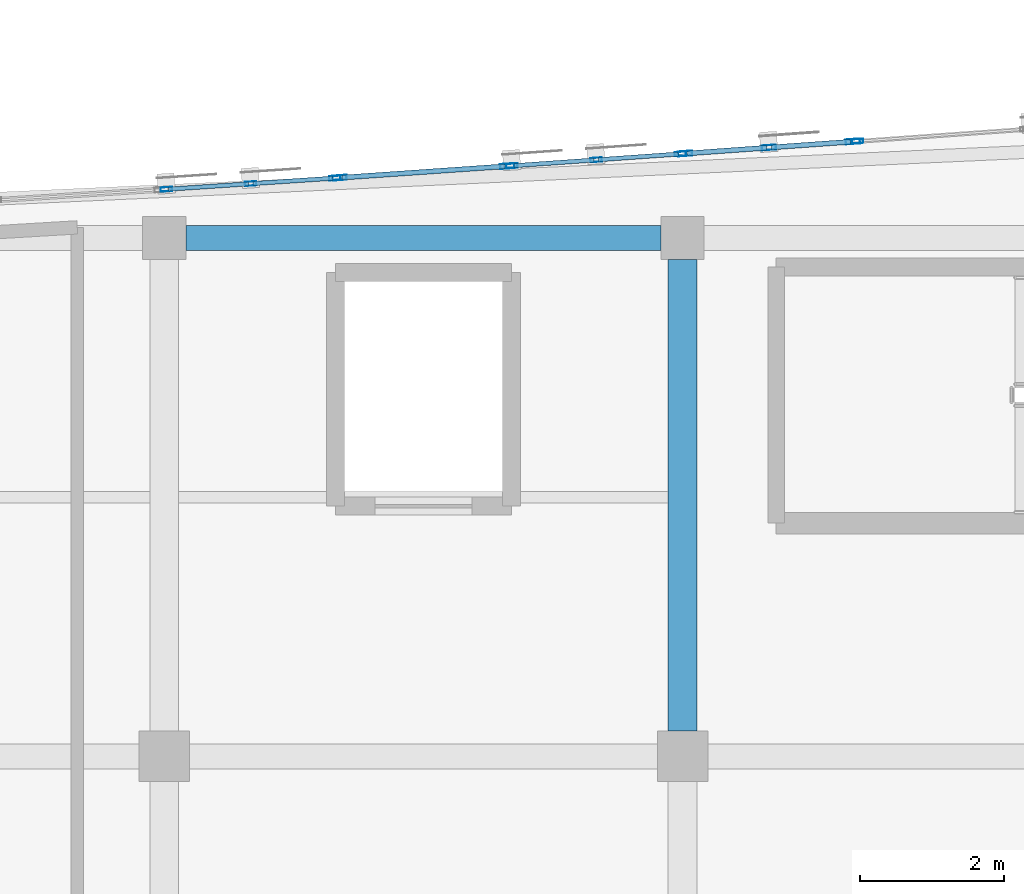
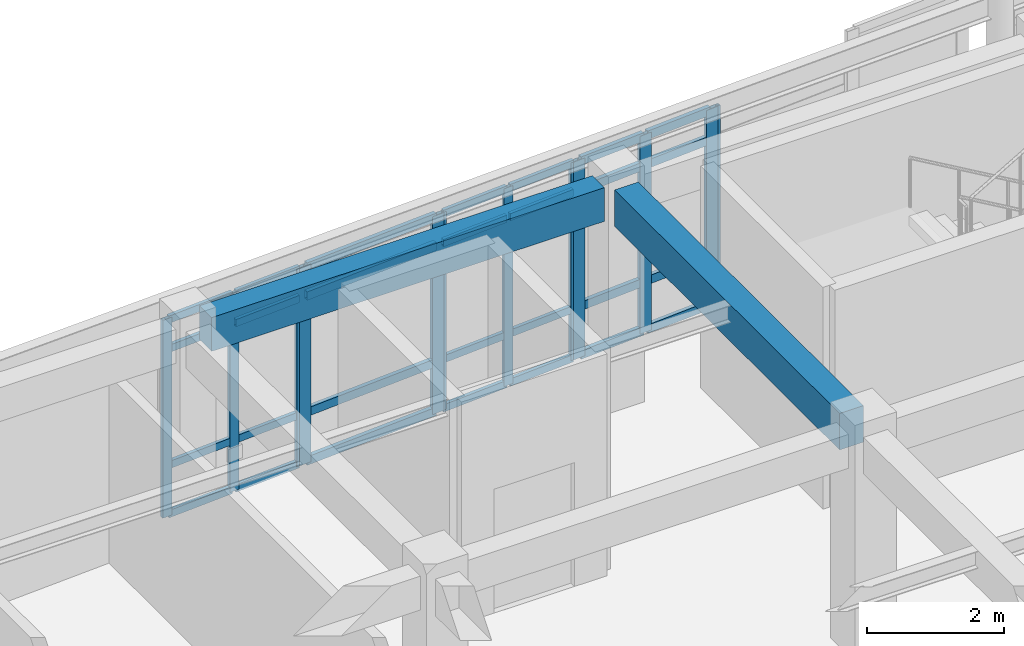
# One storey, part 38 of 113: 40 members, 2 beams, 5 elements without a shape of their own.
"""IFC4 building model written with IfcOpenShell, lengths in metres."""

from ifc_helpers import new_model, si_unit, direction, frame, origin, origin_2d, place, context, subcontext, project, spatial, rectangle, hollow_rectangle, extrude, material, layer, layer_set, material_profile, profile_set, type_object, element, aggregate, save


model = new_model("IFC4")

# Units and contexts
model_context = context("Model", 3, precision=1e-05, world=origin(), true_north=direction((0.0, 1.0)))
body_context = subcontext(model_context, "Body", "Model", "MODEL_VIEW")
ifc_project = project(units=[si_unit("LENGTHUNIT", "METRE"), si_unit("AREAUNIT", "SQUARE_METRE"), si_unit("VOLUMEUNIT", "CUBIC_METRE"), si_unit("PLANEANGLEUNIT", "RADIAN"), si_unit("MASSUNIT", "GRAM", prefix="KILO")], contexts=[model_context])

# Site, building, storey
site_placement = place(None, origin())
site = spatial("IfcSite", under=ifc_project, at=site_placement, CompositionType="ELEMENT")
building_placement = place(site_placement, origin())
building = spatial("IfcBuilding", under=site, at=building_placement, Name="Carrowvane Square Congress Hotel", CompositionType="ELEMENT")
storey_placement = place(building_placement, frame((0.0, 0.0, 15.0)))
storey = spatial("IfcBuildingStorey", under=building, at=storey_placement, Name="L03", CompositionType="ELEMENT", Elevation=15.0)

# Beams
ifc_material_1 = material(Name="Concrete C35/45", Category="concrete")
ifc_material_profile_1 = material_profile(ifc_material_1, rectangle(XDim=0.35009765625, YDim=0.60009765625, at=origin_2d()), Name="RC 350x600")
ifc_profile_set_1 = profile_set([ifc_material_profile_1], Name="Concrete C35/45")
beam_type_1 = type_object("IfcBeamType", Name="BM-RC-350x600", PredefinedType="BEAM", material=ifc_profile_set_1)
beam_1_placement = place(storey_placement, frame((47.89990234375, 113.39990234375, 3.639892578125), z_axis=(1.0, 0.0, 0.0), x_axis=(0.0, 1.0, 0.0)))
element("IfcBeam", 1, at=beam_1_placement, inside=storey, type_object=beam_type_1, Name="L04 girder R/6-7", PredefinedType="BEAM", context=body_context, shape_type="SweptSolid", body=[
    extrude(rectangle(XDim=0.35009765625, YDim=0.60009765625, at=origin_2d()), origin(), (0.0, 0.0, 1.0), 6.60009765625),
])
ifc_material_2 = material(Name="Concrete C35/45", Category="concrete")
ifc_material_profile_2 = material_profile(ifc_material_2, rectangle(XDim=0.39990234375, YDim=0.64990234375, at=origin_2d()), Name="RC 400x650")
ifc_profile_set_2 = profile_set([ifc_material_profile_2], Name="Concrete C35/45")
beam_type_2 = type_object("IfcBeamType", Name="BM-RC-400x650", PredefinedType="BEAM", material=ifc_profile_set_2)
beam_2_placement = place(storey_placement, frame((54.800048828125, 106.550048828125, 3.614990234375), z_axis=(0.0, 1.0, 0.0), x_axis=(-1.0, 0.0, 0.0)))
element("IfcBeam", 2, at=beam_2_placement, inside=storey, type_object=beam_type_2, Name="L04 girder 7/Q-R", PredefinedType="BEAM", context=body_context, shape_type="SweptSolid", body=[
    extrude(rectangle(XDim=0.39990234375, YDim=0.64990234375, at=origin_2d()), origin(), (0.0, 0.0, 1.0), 6.550048828125),
])

# Curtain wall, members
ifc_material_3 = material(Name="Anodised aluminium", Category="aluminium")
ifc_layer_1 = layer(ifc_material_3, 0.2099609375)
ifc_layer_set_1 = layer_set([ifc_layer_1], Name="Anodised aluminium")
curtain_wall_type_1 = type_object("IfcCurtainWallType", Name="CW-SYS-5", PredefinedType="NOTDEFINED", material=ifc_layer_set_1)
curtain_wall_1_placement = place(storey_placement, origin())
curtain_wall_1 = element("IfcCurtainWall", 3, at=curtain_wall_1_placement, inside=storey, type_object=curtain_wall_type_1, Name="L03 unitised curtain wall 196", PredefinedType="NOTDEFINED")
ifc_material_4 = material(Name="Anodised aluminium", Category="aluminium")
ifc_material_profile_3 = material_profile(ifc_material_4, hollow_rectangle(XDim=0.06005859375, YDim=0.159912109375, WallThickness=0.00390625, at=origin_2d()), Name="CW-ML 60x160x4")
ifc_profile_set_3 = profile_set([ifc_material_profile_3], Name="Anodised aluminium")
member_type_1 = type_object("IfcMemberType", Name="CW-MUL-1", PredefinedType="MULLION", material=ifc_profile_set_3)
member_1_placement = place(storey_placement, frame((47.6298828125, 114.077392578125, 0.0), z_axis=(0.0, 0.0, 1.0), x_axis=(-0.066578061501, 0.99778121937, 0.0)))
member_1 = element("IfcMember", 4, at=member_1_placement, type_object=member_type_1, Name="CW-5 mullion 1", PredefinedType="MULLION", context=body_context, shape_type="SweptSolid", body=[
    extrude(hollow_rectangle(XDim=0.06005859375, YDim=0.159912109375, WallThickness=0.00390625, at=origin_2d()), origin(), (0.0, 0.0, 1.0), 3.515625),
])
member_2_placement = place(storey_placement, frame((48.800048828125, 114.155517578125, 0.0), z_axis=(0.0, 0.0, 1.0), x_axis=(-0.066578061501, 0.99778121937, 0.0)))
member_2 = element("IfcMember", 5, at=member_2_placement, type_object=member_type_1, Name="CW-5 mullion 2", PredefinedType="MULLION", context=body_context, shape_type="SweptSolid", body=[
    extrude(hollow_rectangle(XDim=0.06005859375, YDim=0.159912109375, WallThickness=0.00390625, at=origin_2d()), origin(), (0.0, 0.0, 1.0), 3.515625),
])
member_3_placement = place(storey_placement, frame((49.969970703125, 114.2333984375, 0.0), z_axis=(0.0, 0.0, 1.0), x_axis=(-0.066578061501, 0.99778121937, 0.0)))
member_3 = element("IfcMember", 6, at=member_3_placement, type_object=member_type_1, Name="CW-5 mullion 3", PredefinedType="MULLION", context=body_context, shape_type="SweptSolid", body=[
    extrude(hollow_rectangle(XDim=0.06005859375, YDim=0.159912109375, WallThickness=0.00390625, at=origin_2d()), origin(), (0.0, 0.0, 1.0), 3.515625),
])

ifc_material_5 = material(Name="Anodised aluminium", Category="aluminium")
ifc_layer_2 = layer(ifc_material_5, 0.23388671875)
ifc_layer_set_2 = layer_set([ifc_layer_2], Name="Anodised aluminium")
curtain_wall_type_2 = type_object("IfcCurtainWallType", Name="CW-SYS-7", PredefinedType="NOTDEFINED", material=ifc_layer_set_2)
curtain_wall_2_placement = place(storey_placement, origin())
curtain_wall_2 = element("IfcCurtainWall", 7, at=curtain_wall_2_placement, inside=storey, type_object=curtain_wall_type_2, Name="L03 unitised curtain wall 198", PredefinedType="NOTDEFINED")
member_4_placement = place(storey_placement, frame((52.429931640625, 114.403564453125, 0.0), z_axis=(0.0, 0.0, 1.0), x_axis=(-0.070585996942, 0.997505697746, 0.0)))
member_4 = element("IfcMember", 8, at=member_4_placement, type_object=member_type_1, Name="CW-7 mullion 1", PredefinedType="MULLION", context=body_context, shape_type="SweptSolid", body=[
    extrude(hollow_rectangle(XDim=0.06005859375, YDim=0.159912109375, WallThickness=0.00390625, at=origin_2d()), origin(), (0.0, 0.0, 1.0), 3.515625),
])
member_5_placement = place(storey_placement, frame((53.60009765625, 114.486328125, 0.0), z_axis=(0.0, 0.0, 1.0), x_axis=(-0.070585996942, 0.997505697746, 0.0)))
member_5 = element("IfcMember", 9, at=member_5_placement, type_object=member_type_1, Name="CW-7 mullion 2", PredefinedType="MULLION", context=body_context, shape_type="SweptSolid", body=[
    extrude(hollow_rectangle(XDim=0.06005859375, YDim=0.159912109375, WallThickness=0.00390625, at=origin_2d()), origin(), (0.0, 0.0, 1.0), 3.515625),
])
member_6_placement = place(storey_placement, frame((54.77001953125, 114.569091796875, 0.0), z_axis=(0.0, 0.0, 1.0), x_axis=(-0.070585996942, 0.997505697746, 0.0)))
member_6 = element("IfcMember", 10, at=member_6_placement, type_object=member_type_1, Name="CW-7 mullion 3", PredefinedType="MULLION", context=body_context, shape_type="SweptSolid", body=[
    extrude(hollow_rectangle(XDim=0.06005859375, YDim=0.159912109375, WallThickness=0.00390625, at=origin_2d()), origin(), (0.0, 0.0, 1.0), 3.515625),
])

# Curtain wall, member
ifc_material_6 = material(Name="Anodised aluminium", Category="aluminium")
ifc_layer_3 = layer(ifc_material_6, 0.162109375)
ifc_layer_set_3 = layer_set([ifc_layer_3], Name="Anodised aluminium")
curtain_wall_type_3 = type_object("IfcCurtainWallType", Name="CW-SYS-1", PredefinedType="NOTDEFINED", material=ifc_layer_set_3)
curtain_wall_3_placement = place(storey_placement, origin())
curtain_wall_3 = element("IfcCurtainWall", 11, at=curtain_wall_3_placement, inside=storey, type_object=curtain_wall_type_3, Name="L03 unitised curtain wall 200", PredefinedType="NOTDEFINED")
member_7_placement = place(storey_placement, frame((57.22998046875, 114.745361328125, 0.0), z_axis=(0.0, 0.0, 1.0), x_axis=(-0.071531759512, 0.997438322595, 0.0)))
member_7 = element("IfcMember", 12, at=member_7_placement, type_object=member_type_1, Name="CW-1 mullion 1", PredefinedType="MULLION", context=body_context, shape_type="SweptSolid", body=[
    extrude(hollow_rectangle(XDim=0.06005859375, YDim=0.159912109375, WallThickness=0.00390625, at=origin_2d()), origin(), (0.0, 0.0, 1.0), 3.515625),
])
aggregate(curtain_wall_3, [member_7])

# Curtain wall, members
ifc_material_7 = material(Name="Anodised aluminium", Category="aluminium")
ifc_layer_4 = layer(ifc_material_7, 0.221923828125)
ifc_layer_set_4 = layer_set([ifc_layer_4], Name="Anodised aluminium")
curtain_wall_type_4 = type_object("IfcCurtainWallType", Name="CW-SYS-6", PredefinedType="NOTDEFINED", material=ifc_layer_set_4)
curtain_wall_4_placement = place(storey_placement, origin())
curtain_wall_4 = element("IfcCurtainWall", 13, at=curtain_wall_4_placement, inside=storey, type_object=curtain_wall_type_4, Name="L03 unitised curtain wall 197", PredefinedType="NOTDEFINED")
ifc_material_8 = material(Name="Anodised aluminium", Category="aluminium")
ifc_material_profile_4 = material_profile(ifc_material_8, hollow_rectangle(XDim=0.070068359375, YDim=0.199951171875, WallThickness=0.0048828125, at=origin_2d()), Name="CW-ML 70x200x5")
ifc_profile_set_4 = profile_set([ifc_material_profile_4], Name="Anodised aluminium")
member_type_2 = type_object("IfcMemberType", Name="CW-MUL-2", PredefinedType="MULLION", material=ifc_profile_set_4)
member_8_placement = place(storey_placement, frame((50.034912109375, 114.23779296875, 0.0), z_axis=(0.0, 0.0, 1.0), x_axis=(-0.068986120725, 0.997617619706, 0.0)))
member_8 = element("IfcMember", 14, at=member_8_placement, type_object=member_type_2, Name="CW-6 mullion 1", PredefinedType="MULLION", context=body_context, shape_type="SweptSolid", body=[
    extrude(hollow_rectangle(XDim=0.070068359375, YDim=0.199951171875, WallThickness=0.0048828125, at=origin_2d()), origin(), (0.0, 0.0, 1.0), 3.515625),
])
member_9_placement = place(storey_placement, frame((52.364990234375, 114.39892578125, 0.0), z_axis=(0.0, 0.0, 1.0), x_axis=(-0.068986120725, 0.997617619706, 0.0)))
member_9 = element("IfcMember", 15, at=member_9_placement, type_object=member_type_2, Name="CW-6 mullion 2", PredefinedType="MULLION", context=body_context, shape_type="SweptSolid", body=[
    extrude(hollow_rectangle(XDim=0.070068359375, YDim=0.199951171875, WallThickness=0.0048828125, at=origin_2d()), origin(), (0.0, 0.0, 1.0), 3.515625),
])

ifc_material_9 = material(Name="Anodised aluminium", Category="aluminium")
ifc_layer_5 = layer(ifc_material_9, 0.24609375)
ifc_layer_set_5 = layer_set([ifc_layer_5], Name="Anodised aluminium")
curtain_wall_type_5 = type_object("IfcCurtainWallType", Name="CW-SYS-8", PredefinedType="NOTDEFINED", material=ifc_layer_set_5)
curtain_wall_5_placement = place(storey_placement, origin())
curtain_wall_5 = element("IfcCurtainWall", 16, at=curtain_wall_5_placement, inside=storey, type_object=curtain_wall_type_5, Name="L03 unitised curtain wall 199", PredefinedType="NOTDEFINED")
member_10_placement = place(storey_placement, frame((54.8349609375, 114.57373046875, 0.0), z_axis=(0.0, 0.0, 1.0), x_axis=(-0.071418356042, 0.997446448898, 0.0)))
member_10 = element("IfcMember", 17, at=member_10_placement, type_object=member_type_2, Name="CW-8 mullion 1", PredefinedType="MULLION", context=body_context, shape_type="SweptSolid", body=[
    extrude(hollow_rectangle(XDim=0.070068359375, YDim=0.199951171875, WallThickness=0.0048828125, at=origin_2d()), origin(), (0.0, 0.0, 1.0), 3.515625),
])
member_11_placement = place(storey_placement, frame((56.0, 114.6572265625, 0.0), z_axis=(0.0, 0.0, 1.0), x_axis=(-0.071418356042, 0.997446448898, 0.0)))
member_11 = element("IfcMember", 18, at=member_11_placement, type_object=member_type_2, Name="CW-8 mullion 2", PredefinedType="MULLION", context=body_context, shape_type="SweptSolid", body=[
    extrude(hollow_rectangle(XDim=0.070068359375, YDim=0.199951171875, WallThickness=0.0048828125, at=origin_2d()), origin(), (0.0, 0.0, 1.0), 3.515625),
])
member_12_placement = place(storey_placement, frame((57.1650390625, 114.74072265625, 0.0), z_axis=(0.0, 0.0, 1.0), x_axis=(-0.071418356042, 0.997446448898, 0.0)))
member_12 = element("IfcMember", 19, at=member_12_placement, type_object=member_type_2, Name="CW-8 mullion 3", PredefinedType="MULLION", context=body_context, shape_type="SweptSolid", body=[
    extrude(hollow_rectangle(XDim=0.070068359375, YDim=0.199951171875, WallThickness=0.0048828125, at=origin_2d()), origin(), (0.0, 0.0, 1.0), 3.515625),
])

# Member
ifc_material_10 = material(Name="Anodised aluminium", Category="aluminium")
ifc_material_profile_5 = material_profile(ifc_material_10, hollow_rectangle(XDim=0.06005859375, YDim=0.1298828125, WallThickness=0.00390625, at=origin_2d()), Name="CW-TR 60x130x4")
ifc_profile_set_5 = profile_set([ifc_material_profile_5], Name="Anodised aluminium")
member_type_3 = type_object("IfcMemberType", Name="CW-TRN-1", PredefinedType="USERDEFINED", material=ifc_profile_set_5)
member_13_placement = place(storey_placement, frame((47.659912109375, 114.079345703125, 0.030029296875), z_axis=(0.997787099366, 0.066489881484, 0.0), x_axis=(-0.066489881484, 0.997787099366, 0.0)))
member_13 = element("IfcMember", 20, at=member_13_placement, type_object=member_type_3, Name="CW-5 transom 1.1", ObjectType="TRANSOM", PredefinedType="USERDEFINED", context=body_context, shape_type="SweptSolid", body=[
    extrude(hollow_rectangle(XDim=0.06005859375, YDim=0.1298828125, WallThickness=0.00390625, at=origin_2d()), origin(), (0.0, 0.0, 1.0), 1.112548828125),
])

member_14_placement = place(storey_placement, frame((47.659912109375, 114.079345703125, 0.89990234375), z_axis=(0.997787099366, 0.066489881484, 0.0), x_axis=(-0.066489881484, 0.997787099366, 0.0)))
member_14 = element("IfcMember", 21, at=member_14_placement, type_object=member_type_3, Name="CW-5 transom 1.2", ObjectType="TRANSOM", PredefinedType="USERDEFINED", context=body_context, shape_type="SweptSolid", body=[
    extrude(hollow_rectangle(XDim=0.06005859375, YDim=0.1298828125, WallThickness=0.00390625, at=origin_2d()), origin(), (0.0, 0.0, 1.0), 1.112548828125),
])

member_15_placement = place(storey_placement, frame((47.659912109375, 114.079345703125, 2.965576171875), z_axis=(0.997787099366, 0.066489881484, 0.0), x_axis=(-0.066489881484, 0.997787099366, 0.0)))
member_15 = element("IfcMember", 22, at=member_15_placement, type_object=member_type_3, Name="CW-5 transom 1.3", ObjectType="TRANSOM", PredefinedType="USERDEFINED", context=body_context, shape_type="SweptSolid", body=[
    extrude(hollow_rectangle(XDim=0.06005859375, YDim=0.1298828125, WallThickness=0.00390625, at=origin_2d()), origin(), (0.0, 0.0, 1.0), 1.112548828125),
])

member_16_placement = place(storey_placement, frame((47.659912109375, 114.079345703125, 3.485595703125), z_axis=(0.997787099366, 0.066489881484, 0.0), x_axis=(-0.066489881484, 0.997787099366, 0.0)))
member_16 = element("IfcMember", 23, at=member_16_placement, type_object=member_type_3, Name="CW-5 transom 1.4", ObjectType="TRANSOM", PredefinedType="USERDEFINED", context=body_context, shape_type="SweptSolid", body=[
    extrude(hollow_rectangle(XDim=0.06005859375, YDim=0.1298828125, WallThickness=0.00390625, at=origin_2d()), origin(), (0.0, 0.0, 1.0), 1.112548828125),
])

member_17_placement = place(storey_placement, frame((48.829833984375, 114.157470703125, 0.030029296875), z_axis=(0.997788069164, 0.066475326508, 0.0), x_axis=(-0.066475326508, 0.997788069164, 0.0)))
member_17 = element("IfcMember", 24, at=member_17_placement, type_object=member_type_3, Name="CW-5 transom 2.1", ObjectType="TRANSOM", PredefinedType="USERDEFINED", context=body_context, shape_type="SweptSolid", body=[
    extrude(hollow_rectangle(XDim=0.06005859375, YDim=0.1298828125, WallThickness=0.00390625, at=origin_2d()), origin(), (0.0, 0.0, 1.0), 1.11279296875),
])

member_18_placement = place(storey_placement, frame((48.829833984375, 114.157470703125, 0.89990234375), z_axis=(0.997788069164, 0.066475326508, 0.0), x_axis=(-0.066475326508, 0.997788069164, 0.0)))
member_18 = element("IfcMember", 25, at=member_18_placement, type_object=member_type_3, Name="CW-5 transom 2.2", ObjectType="TRANSOM", PredefinedType="USERDEFINED", context=body_context, shape_type="SweptSolid", body=[
    extrude(hollow_rectangle(XDim=0.06005859375, YDim=0.1298828125, WallThickness=0.00390625, at=origin_2d()), origin(), (0.0, 0.0, 1.0), 1.11279296875),
])

member_19_placement = place(storey_placement, frame((48.829833984375, 114.157470703125, 2.965576171875), z_axis=(0.997788069164, 0.066475326508, 0.0), x_axis=(-0.066475326508, 0.997788069164, 0.0)))
member_19 = element("IfcMember", 26, at=member_19_placement, type_object=member_type_3, Name="CW-5 transom 2.3", ObjectType="TRANSOM", PredefinedType="USERDEFINED", context=body_context, shape_type="SweptSolid", body=[
    extrude(hollow_rectangle(XDim=0.06005859375, YDim=0.1298828125, WallThickness=0.00390625, at=origin_2d()), origin(), (0.0, 0.0, 1.0), 1.11279296875),
])

member_20_placement = place(storey_placement, frame((48.829833984375, 114.157470703125, 3.485595703125), z_axis=(0.997788069164, 0.066475326508, 0.0), x_axis=(-0.066475326508, 0.997788069164, 0.0)))
member_20 = element("IfcMember", 27, at=member_20_placement, type_object=member_type_3, Name="CW-5 transom 2.4", ObjectType="TRANSOM", PredefinedType="USERDEFINED", context=body_context, shape_type="SweptSolid", body=[
    extrude(hollow_rectangle(XDim=0.06005859375, YDim=0.1298828125, WallThickness=0.00390625, at=origin_2d()), origin(), (0.0, 0.0, 1.0), 1.11279296875),
])

aggregate(curtain_wall_1, [member_1, member_2, member_3, member_13, member_14, member_15, member_16, member_17, member_18, member_19, member_20])

member_21_placement = place(storey_placement, frame((52.4599609375, 114.40576171875, 0.030029296875), z_axis=(0.997517378391, 0.070420734212, 0.0), x_axis=(-0.070420734212, 0.997517378391, 0.0)))
member_21 = element("IfcMember", 28, at=member_21_placement, type_object=member_type_3, Name="CW-7 transom 1.1", ObjectType="TRANSOM", PredefinedType="USERDEFINED", context=body_context, shape_type="SweptSolid", body=[
    extrude(hollow_rectangle(XDim=0.06005859375, YDim=0.1298828125, WallThickness=0.00390625, at=origin_2d()), origin(), (0.0, 0.0, 1.0), 1.11279296875),
])

member_22_placement = place(storey_placement, frame((52.4599609375, 114.40576171875, 0.89990234375), z_axis=(0.997517378391, 0.070420734212, 0.0), x_axis=(-0.070420734212, 0.997517378391, 0.0)))
member_22 = element("IfcMember", 29, at=member_22_placement, type_object=member_type_3, Name="CW-7 transom 1.2", ObjectType="TRANSOM", PredefinedType="USERDEFINED", context=body_context, shape_type="SweptSolid", body=[
    extrude(hollow_rectangle(XDim=0.06005859375, YDim=0.1298828125, WallThickness=0.00390625, at=origin_2d()), origin(), (0.0, 0.0, 1.0), 1.11279296875),
])

member_23_placement = place(storey_placement, frame((52.4599609375, 114.40576171875, 2.965576171875), z_axis=(0.997517378391, 0.070420734212, 0.0), x_axis=(-0.070420734212, 0.997517378391, 0.0)))
member_23 = element("IfcMember", 30, at=member_23_placement, type_object=member_type_3, Name="CW-7 transom 1.3", ObjectType="TRANSOM", PredefinedType="USERDEFINED", context=body_context, shape_type="SweptSolid", body=[
    extrude(hollow_rectangle(XDim=0.06005859375, YDim=0.1298828125, WallThickness=0.00390625, at=origin_2d()), origin(), (0.0, 0.0, 1.0), 1.11279296875),
])

member_24_placement = place(storey_placement, frame((52.4599609375, 114.40576171875, 3.485595703125), z_axis=(0.997517378391, 0.070420734212, 0.0), x_axis=(-0.070420734212, 0.997517378391, 0.0)))
member_24 = element("IfcMember", 31, at=member_24_placement, type_object=member_type_3, Name="CW-7 transom 1.4", ObjectType="TRANSOM", PredefinedType="USERDEFINED", context=body_context, shape_type="SweptSolid", body=[
    extrude(hollow_rectangle(XDim=0.06005859375, YDim=0.1298828125, WallThickness=0.00390625, at=origin_2d()), origin(), (0.0, 0.0, 1.0), 1.11279296875),
])

member_25_placement = place(storey_placement, frame((53.6298828125, 114.488525390625, 0.030029296875), z_axis=(0.997503038551, 0.070623566054, 0.0), x_axis=(-0.070623566054, 0.997503038551, 0.0)))
member_25 = element("IfcMember", 32, at=member_25_placement, type_object=member_type_3, Name="CW-7 transom 2.1", ObjectType="TRANSOM", PredefinedType="USERDEFINED", context=body_context, shape_type="SweptSolid", body=[
    extrude(hollow_rectangle(XDim=0.06005859375, YDim=0.1298828125, WallThickness=0.00390625, at=origin_2d()), origin(), (0.0, 0.0, 1.0), 1.113037109375),
])

member_26_placement = place(storey_placement, frame((53.6298828125, 114.488525390625, 0.89990234375), z_axis=(0.997503038551, 0.070623566054, 0.0), x_axis=(-0.070623566054, 0.997503038551, 0.0)))
member_26 = element("IfcMember", 33, at=member_26_placement, type_object=member_type_3, Name="CW-7 transom 2.2", ObjectType="TRANSOM", PredefinedType="USERDEFINED", context=body_context, shape_type="SweptSolid", body=[
    extrude(hollow_rectangle(XDim=0.06005859375, YDim=0.1298828125, WallThickness=0.00390625, at=origin_2d()), origin(), (0.0, 0.0, 1.0), 1.113037109375),
])

member_27_placement = place(storey_placement, frame((53.6298828125, 114.488525390625, 2.965576171875), z_axis=(0.997503038551, 0.070623566054, 0.0), x_axis=(-0.070623566054, 0.997503038551, 0.0)))
member_27 = element("IfcMember", 34, at=member_27_placement, type_object=member_type_3, Name="CW-7 transom 2.3", ObjectType="TRANSOM", PredefinedType="USERDEFINED", context=body_context, shape_type="SweptSolid", body=[
    extrude(hollow_rectangle(XDim=0.06005859375, YDim=0.1298828125, WallThickness=0.00390625, at=origin_2d()), origin(), (0.0, 0.0, 1.0), 1.113037109375),
])

member_28_placement = place(storey_placement, frame((53.6298828125, 114.488525390625, 3.485595703125), z_axis=(0.997503038551, 0.070623566054, 0.0), x_axis=(-0.070623566054, 0.997503038551, 0.0)))
member_28 = element("IfcMember", 35, at=member_28_placement, type_object=member_type_3, Name="CW-7 transom 2.4", ObjectType="TRANSOM", PredefinedType="USERDEFINED", context=body_context, shape_type="SweptSolid", body=[
    extrude(hollow_rectangle(XDim=0.06005859375, YDim=0.1298828125, WallThickness=0.00390625, at=origin_2d()), origin(), (0.0, 0.0, 1.0), 1.113037109375),
])

aggregate(curtain_wall_2, [member_4, member_5, member_6, member_21, member_22, member_23, member_24, member_25, member_26, member_27, member_28])

ifc_material_11 = material(Name="Anodised aluminium", Category="aluminium")
ifc_material_profile_6 = material_profile(ifc_material_11, hollow_rectangle(XDim=0.070068359375, YDim=0.14990234375, WallThickness=0.0048828125, at=origin_2d()), Name="CW-TR 70x150x5")
ifc_profile_set_6 = profile_set([ifc_material_profile_6], Name="Anodised aluminium")
member_type_4 = type_object("IfcMemberType", Name="CW-TRN-2", PredefinedType="USERDEFINED", material=ifc_profile_set_6)
member_29_placement = place(storey_placement, frame((50.06982421875, 114.240234375, 0.034912109375), z_axis=(0.997611673576, 0.069072054738, 0.0), x_axis=(-0.069072054738, 0.997611673576, 0.0)))
member_29 = element("IfcMember", 36, at=member_29_placement, type_object=member_type_4, Name="CW-6 transom 1.1", ObjectType="TRANSOM", PredefinedType="USERDEFINED", context=body_context, shape_type="SweptSolid", body=[
    extrude(hollow_rectangle(XDim=0.070068359375, YDim=0.14990234375, WallThickness=0.0048828125, at=origin_2d()), origin(), (0.0, 0.0, 1.0), 2.265625),
])

member_30_placement = place(storey_placement, frame((50.06982421875, 114.240234375, 0.89990234375), z_axis=(0.997611673576, 0.069072054738, 0.0), x_axis=(-0.069072054738, 0.997611673576, 0.0)))
member_30 = element("IfcMember", 37, at=member_30_placement, type_object=member_type_4, Name="CW-6 transom 1.2", ObjectType="TRANSOM", PredefinedType="USERDEFINED", context=body_context, shape_type="SweptSolid", body=[
    extrude(hollow_rectangle(XDim=0.070068359375, YDim=0.14990234375, WallThickness=0.0048828125, at=origin_2d()), origin(), (0.0, 0.0, 1.0), 2.265625),
])

member_31_placement = place(storey_placement, frame((50.06982421875, 114.240234375, 2.965576171875), z_axis=(0.997611673576, 0.069072054738, 0.0), x_axis=(-0.069072054738, 0.997611673576, 0.0)))
member_31 = element("IfcMember", 38, at=member_31_placement, type_object=member_type_4, Name="CW-6 transom 1.3", ObjectType="TRANSOM", PredefinedType="USERDEFINED", context=body_context, shape_type="SweptSolid", body=[
    extrude(hollow_rectangle(XDim=0.070068359375, YDim=0.14990234375, WallThickness=0.0048828125, at=origin_2d()), origin(), (0.0, 0.0, 1.0), 2.265625),
])

member_32_placement = place(storey_placement, frame((50.06982421875, 114.240234375, 3.480712890625), z_axis=(0.997611673576, 0.069072054738, 0.0), x_axis=(-0.069072054738, 0.997611673576, 0.0)))
member_32 = element("IfcMember", 39, at=member_32_placement, type_object=member_type_4, Name="CW-6 transom 1.4", ObjectType="TRANSOM", PredefinedType="USERDEFINED", context=body_context, shape_type="SweptSolid", body=[
    extrude(hollow_rectangle(XDim=0.070068359375, YDim=0.14990234375, WallThickness=0.0048828125, at=origin_2d()), origin(), (0.0, 0.0, 1.0), 2.265625),
])

aggregate(curtain_wall_4, [member_8, member_9, member_29, member_30, member_31, member_32])

member_33_placement = place(storey_placement, frame((54.869873046875, 114.576171875, 0.034912109375), z_axis=(0.997433808996, 0.071594669304, 0.0), x_axis=(-0.071594669304, 0.997433808996, 0.0)))
member_33 = element("IfcMember", 40, at=member_33_placement, type_object=member_type_4, Name="CW-8 transom 1.1", ObjectType="TRANSOM", PredefinedType="USERDEFINED", context=body_context, shape_type="SweptSolid", body=[
    extrude(hollow_rectangle(XDim=0.070068359375, YDim=0.14990234375, WallThickness=0.0048828125, at=origin_2d()), origin(), (0.0, 0.0, 1.0), 1.09814453125),
])

member_34_placement = place(storey_placement, frame((54.869873046875, 114.576171875, 0.89990234375), z_axis=(0.997433808996, 0.071594669304, 0.0), x_axis=(-0.071594669304, 0.997433808996, 0.0)))
member_34 = element("IfcMember", 41, at=member_34_placement, type_object=member_type_4, Name="CW-8 transom 1.2", ObjectType="TRANSOM", PredefinedType="USERDEFINED", context=body_context, shape_type="SweptSolid", body=[
    extrude(hollow_rectangle(XDim=0.070068359375, YDim=0.14990234375, WallThickness=0.0048828125, at=origin_2d()), origin(), (0.0, 0.0, 1.0), 1.09814453125),
])

member_35_placement = place(storey_placement, frame((54.869873046875, 114.576171875, 2.965576171875), z_axis=(0.997433808996, 0.071594669304, 0.0), x_axis=(-0.071594669304, 0.997433808996, 0.0)))
member_35 = element("IfcMember", 42, at=member_35_placement, type_object=member_type_4, Name="CW-8 transom 1.3", ObjectType="TRANSOM", PredefinedType="USERDEFINED", context=body_context, shape_type="SweptSolid", body=[
    extrude(hollow_rectangle(XDim=0.070068359375, YDim=0.14990234375, WallThickness=0.0048828125, at=origin_2d()), origin(), (0.0, 0.0, 1.0), 1.09814453125),
])

member_36_placement = place(storey_placement, frame((54.869873046875, 114.576171875, 3.480712890625), z_axis=(0.997433808996, 0.071594669304, 0.0), x_axis=(-0.071594669304, 0.997433808996, 0.0)))
member_36 = element("IfcMember", 43, at=member_36_placement, type_object=member_type_4, Name="CW-8 transom 1.4", ObjectType="TRANSOM", PredefinedType="USERDEFINED", context=body_context, shape_type="SweptSolid", body=[
    extrude(hollow_rectangle(XDim=0.070068359375, YDim=0.14990234375, WallThickness=0.0048828125, at=origin_2d()), origin(), (0.0, 0.0, 1.0), 1.09814453125),
])

member_37_placement = place(storey_placement, frame((56.034912109375, 114.65966796875, 0.034912109375), z_axis=(0.997449662492, 0.071373460022, 0.0), x_axis=(-0.071373460022, 0.997449662492, 0.0)))
member_37 = element("IfcMember", 44, at=member_37_placement, type_object=member_type_4, Name="CW-8 transom 2.1", ObjectType="TRANSOM", PredefinedType="USERDEFINED", context=body_context, shape_type="SweptSolid", body=[
    extrude(hollow_rectangle(XDim=0.070068359375, YDim=0.14990234375, WallThickness=0.0048828125, at=origin_2d()), origin(), (0.0, 0.0, 1.0), 1.097900390625),
])

member_38_placement = place(storey_placement, frame((56.034912109375, 114.65966796875, 0.89990234375), z_axis=(0.997449662492, 0.071373460022, 0.0), x_axis=(-0.071373460022, 0.997449662492, 0.0)))
member_38 = element("IfcMember", 45, at=member_38_placement, type_object=member_type_4, Name="CW-8 transom 2.2", ObjectType="TRANSOM", PredefinedType="USERDEFINED", context=body_context, shape_type="SweptSolid", body=[
    extrude(hollow_rectangle(XDim=0.070068359375, YDim=0.14990234375, WallThickness=0.0048828125, at=origin_2d()), origin(), (0.0, 0.0, 1.0), 1.097900390625),
])

member_39_placement = place(storey_placement, frame((56.034912109375, 114.65966796875, 2.965576171875), z_axis=(0.997449662492, 0.071373460022, 0.0), x_axis=(-0.071373460022, 0.997449662492, 0.0)))
member_39 = element("IfcMember", 46, at=member_39_placement, type_object=member_type_4, Name="CW-8 transom 2.3", ObjectType="TRANSOM", PredefinedType="USERDEFINED", context=body_context, shape_type="SweptSolid", body=[
    extrude(hollow_rectangle(XDim=0.070068359375, YDim=0.14990234375, WallThickness=0.0048828125, at=origin_2d()), origin(), (0.0, 0.0, 1.0), 1.097900390625),
])

member_40_placement = place(storey_placement, frame((56.034912109375, 114.65966796875, 3.480712890625), z_axis=(0.997449662492, 0.071373460022, 0.0), x_axis=(-0.071373460022, 0.997449662492, 0.0)))
member_40 = element("IfcMember", 47, at=member_40_placement, type_object=member_type_4, Name="CW-8 transom 2.4", ObjectType="TRANSOM", PredefinedType="USERDEFINED", context=body_context, shape_type="SweptSolid", body=[
    extrude(hollow_rectangle(XDim=0.070068359375, YDim=0.14990234375, WallThickness=0.0048828125, at=origin_2d()), origin(), (0.0, 0.0, 1.0), 1.097900390625),
])

aggregate(curtain_wall_5, [member_10, member_11, member_12, member_33, member_34, member_35, member_36, member_37, member_38, member_39, member_40])

save(model, "model.ifc")
